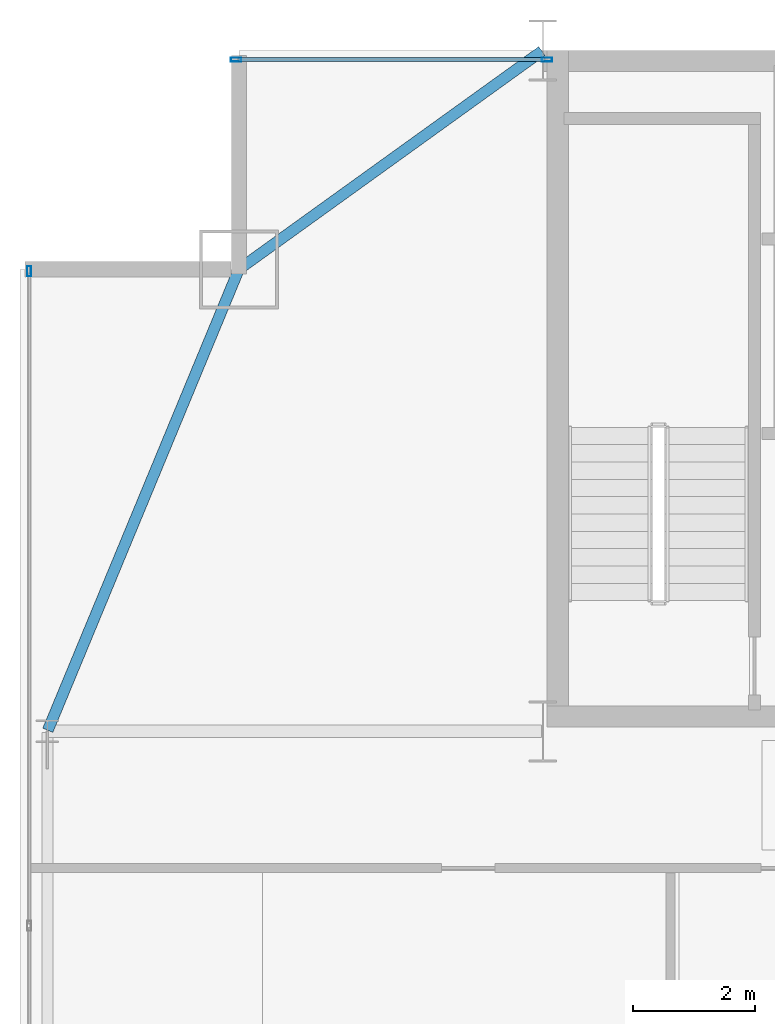
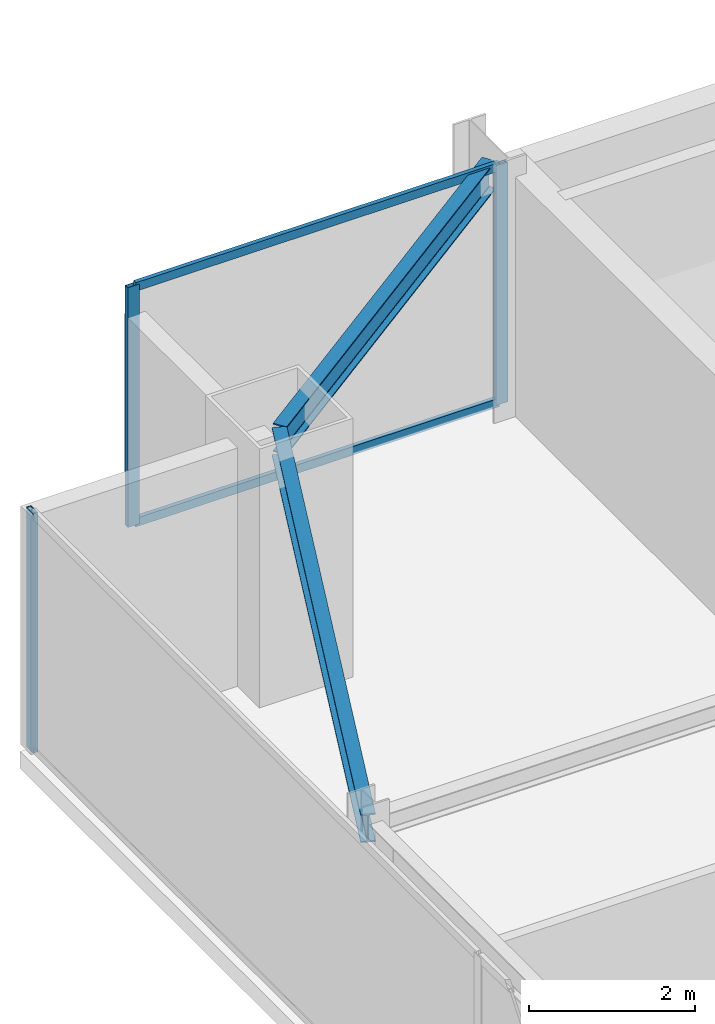
# One storey, part 20 of 29: 5 members, 2 beams, 2 elements without a shape of their own.
"""IFC4 building model written with IfcOpenShell, lengths in metres."""

from ifc_helpers import new_model, si_unit, direction, frame, origin, origin_2d, place, context, subcontext, project, spatial, hollow_rectangle, i_section, extrude, source, transform, mapped, material, layer, layer_set, material_profile, profile_set, type_object, type_shapes, element, aggregate, save


model = new_model("IFC4")

# Units and contexts
model_context = context("Model", 3, precision=1e-05, world=origin(), true_north=direction((0.0, 1.0)))
body_context = subcontext(model_context, "Body", "Model", "MODEL_VIEW")
ifc_project = project(units=[si_unit("LENGTHUNIT", "METRE"), si_unit("AREAUNIT", "SQUARE_METRE"), si_unit("VOLUMEUNIT", "CUBIC_METRE"), si_unit("PLANEANGLEUNIT", "RADIAN"), si_unit("MASSUNIT", "GRAM", prefix="KILO")], contexts=[model_context])

# Site, building, storey
site_placement = place(None, origin())
site = spatial("IfcSite", under=ifc_project, at=site_placement, CompositionType="ELEMENT")
building_placement = place(site_placement, origin())
building = spatial("IfcBuilding", under=site, at=building_placement, Name="Varnel Quay Broadcast Tower", CompositionType="ELEMENT")
storey_placement = place(building_placement, frame((0.0, 0.0, 187.60009765625)))
storey = spatial("IfcBuildingStorey", under=building, at=storey_placement, Name="L46", CompositionType="ELEMENT", Elevation=187.60009765625)

# Beams
ifc_material_1 = material(Name="Structural Steel CSA G40.21 350W", Category="steel")
ifc_material_profile_1 = material_profile(ifc_material_1, i_section(OverallWidth=0.180908203125, OverallDepth=0.4169921875, WebThickness=0.010986328125, FlangeThickness=0.018310546875, FilletRadius=0.011962890625, at=origin_2d()), Name="W410X85")
ifc_profile_set_1 = profile_set([ifc_material_profile_1], Name="Structural Steel CSA G40.21 350W")
beam_type = type_object("IfcBeamType", Name="Beam_W410X85", PredefinedType="SPANDREL", material=ifc_profile_set_1)
shared_shape_1 = source(origin(), body_context, "Body", "SweptSolid", [
    extrude(i_section(OverallWidth=0.180908203125, OverallDepth=0.4169921875, WebThickness=0.010986328125, FlangeThickness=0.018310546875, FilletRadius=0.011962890625, at=origin_2d()), origin(), (0.0, 0.0, 1.0), 8.186767578125),
])
beam_1_placement = place(storey_placement, frame((7.457763671875, 35.618408203125, 3.3115234375), z_axis=(0.382874132092, 0.923800519038, 0.0), x_axis=(-0.923800519038, 0.382874132092, 0.0)))
element("IfcBeam", 1, at=beam_1_placement, inside=storey, type_object=beam_type, Name="L46 West Spandrel TC-W3-MC-NW", PredefinedType="SPANDREL", context=body_context, shape_type="MappedRepresentation", body=[
    mapped(shared_shape_1, transform((0.0, 0.0, 0.0), x_axis=(1.0, 0.0, 0.0), y_axis=(0.0, 1.0, 0.0), z_axis=(0.0, 0.0, 1.0), scale=1.0)),
])
shared_shape_2 = source(origin(), body_context, "Body", "SweptSolid", [
    extrude(i_section(OverallWidth=0.180908203125, OverallDepth=0.4169921875, WebThickness=0.010986328125, FlangeThickness=0.018310546875, FilletRadius=0.011962890625, at=origin_2d()), origin(), (0.0, 0.0, 1.0), 6.12109375),
])
type_shapes(beam_type, [shared_shape_1, shared_shape_2])
beam_2_placement = place(storey_placement, frame((10.6162109375, 43.211669921875, 3.3115234375), z_axis=(0.811531315425, 0.584308928637, 0.0), x_axis=(-0.584308928637, 0.811531315425, 0.0)))
element("IfcBeam", 2, at=beam_2_placement, inside=storey, type_object=beam_type, Name="L46 NW Tie Spandrel", PredefinedType="SPANDREL", context=body_context, shape_type="MappedRepresentation", body=[
    mapped(shared_shape_2, transform((0.0, 0.0, 0.0), x_axis=(1.0, 0.0, 0.0), y_axis=(0.0, 1.0, 0.0), z_axis=(0.0, 0.0, 1.0), scale=1.0)),
])

# Curtain wall, members
ifc_material_2 = material(Name="Anodised Bronze Aluminium 6063-T6", Category="aluminium")
ifc_layer = layer(ifc_material_2, 0.18994140625, Name="Anodised Bronze Aluminium 6063-T6")
ifc_layer_set = layer_set([ifc_layer], Name="Anodised Bronze Aluminium 6063-T6")
curtain_wall_type = type_object("IfcCurtainWallType", Name="CW_UpperTower", PredefinedType="NOTDEFINED", material=ifc_layer_set)
curtain_wall_1_placement = place(storey_placement, origin())
curtain_wall_1 = element("IfcCurtainWall", 3, at=curtain_wall_1_placement, inside=storey, type_object=curtain_wall_type, Name="L46 NW Wing Curtain Wall", PredefinedType="NOTDEFINED")
ifc_material_profile_2 = material_profile(ifc_material_2, hollow_rectangle(XDim=0.06005859375, YDim=0.125, WallThickness=0.0029296875, at=origin_2d()), Name="ALU60X125X3")
ifc_profile_set_2 = profile_set([ifc_material_profile_2], Name="Anodised Bronze Aluminium 6063-T6")
member_type_1 = type_object("IfcMemberType", Name="Tran_CWS-03", PredefinedType="USERDEFINED", material=ifc_profile_set_2)
shared_shape_3 = source(origin(), body_context, "Body", "SweptSolid", [
    extrude(hollow_rectangle(XDim=0.06005859375, YDim=0.125, WallThickness=0.0029296875, at=origin_2d()), origin(), (0.0, 0.0, 1.0), 5.050048828125),
])
type_shapes(member_type_1, [shared_shape_3])
member_1_placement = place(storey_placement, frame((10.5849609375, 46.64990234375, 0.02978515625), z_axis=(1.0, 0.0, 0.0), x_axis=(0.0, 1.0, 0.0)))
member_1 = element("IfcMember", 4, at=member_1_placement, type_object=member_type_1, Name="CWS-03 transom 1.1", ObjectType="TRANSOM", PredefinedType="USERDEFINED", context=body_context, shape_type="MappedRepresentation", body=[
    mapped(shared_shape_3, transform((0.0, 0.0, 0.0), x_axis=(1.0, 0.0, 0.0), y_axis=(0.0, 1.0, 0.0), z_axis=(0.0, 0.0, 1.0), scale=1.0)),
])
member_2_placement = place(storey_placement, frame((10.5849609375, 46.64990234375, 3.489990234375), z_axis=(1.0, 0.0, 0.0), x_axis=(0.0, 1.0, 0.0)))
member_2 = element("IfcMember", 5, at=member_2_placement, type_object=member_type_1, Name="CWS-03 transom 1.2", ObjectType="TRANSOM", PredefinedType="USERDEFINED", context=body_context, shape_type="MappedRepresentation", body=[
    mapped(shared_shape_3, transform((0.0, 0.0, 0.0), x_axis=(1.0, 0.0, 0.0), y_axis=(0.0, 1.0, 0.0), z_axis=(0.0, 0.0, 1.0), scale=1.0)),
])

# Curtain wall, member
curtain_wall_2_placement = place(storey_placement, origin())
curtain_wall_2 = element("IfcCurtainWall", 6, at=curtain_wall_2_placement, inside=storey, type_object=curtain_wall_type, Name="L46 West Unitised Curtain Wall", PredefinedType="NOTDEFINED")
ifc_material_profile_3 = material_profile(ifc_material_2, hollow_rectangle(XDim=0.06494140625, YDim=0.1650390625, WallThickness=0.00341796875, at=origin_2d()), Name="ALU65X165X3.5")
ifc_profile_set_3 = profile_set([ifc_material_profile_3], Name="Anodised Bronze Aluminium 6063-T6")
member_type_2 = type_object("IfcMemberType", Name="Mull_CWS-03", PredefinedType="MULLION", material=ifc_profile_set_3)
shared_shape_4 = source(origin(), body_context, "Body", "SweptSolid", [
    extrude(hollow_rectangle(XDim=0.06494140625, YDim=0.1650390625, WallThickness=0.00341796875, at=origin_2d()), origin(), (0.0, 0.0, 1.0), 3.52001953125),
])
type_shapes(member_type_2, [shared_shape_4])
member_3_placement = place(storey_placement, frame((7.14990234375, 43.16748046875, 0.0), z_axis=(0.0, 0.0, 1.0), x_axis=(-1.0, 0.0, 0.0)))
member_3 = element("IfcMember", 7, at=member_3_placement, type_object=member_type_2, Name="CWS-03 mullion 4", PredefinedType="MULLION", context=body_context, shape_type="MappedRepresentation", body=[
    mapped(shared_shape_4, transform((0.0, 0.0, 0.0), x_axis=(1.0, 0.0, 0.0), y_axis=(0.0, 1.0, 0.0), z_axis=(0.0, 0.0, 1.0), scale=1.0)),
])
aggregate(curtain_wall_2, [member_3])

# Member
member_4_placement = place(storey_placement, frame((10.552490234375, 46.64990234375, 0.0), z_axis=(0.0, 0.0, 1.0), x_axis=(0.0, 1.0, 0.0)))
member_4 = element("IfcMember", 8, at=member_4_placement, type_object=member_type_2, Name="CWS-03 mullion 1", PredefinedType="MULLION", context=body_context, shape_type="MappedRepresentation", body=[
    mapped(shared_shape_4, transform((0.0, 0.0, 0.0), x_axis=(1.0, 0.0, 0.0), y_axis=(0.0, 1.0, 0.0), z_axis=(0.0, 0.0, 1.0), scale=1.0)),
])

member_5_placement = place(storey_placement, frame((15.66748046875, 46.64990234375, 0.0), z_axis=(0.0, 0.0, 1.0), x_axis=(0.0, 1.0, 0.0)))
member_5 = element("IfcMember", 9, at=member_5_placement, type_object=member_type_2, Name="CWS-03 mullion 2", PredefinedType="MULLION", context=body_context, shape_type="MappedRepresentation", body=[
    mapped(shared_shape_4, transform((0.0, 0.0, 0.0), x_axis=(1.0, 0.0, 0.0), y_axis=(0.0, 1.0, 0.0), z_axis=(0.0, 0.0, 1.0), scale=1.0)),
])

aggregate(curtain_wall_1, [member_4, member_5, member_1, member_2])

save(model, "model.ifc")
